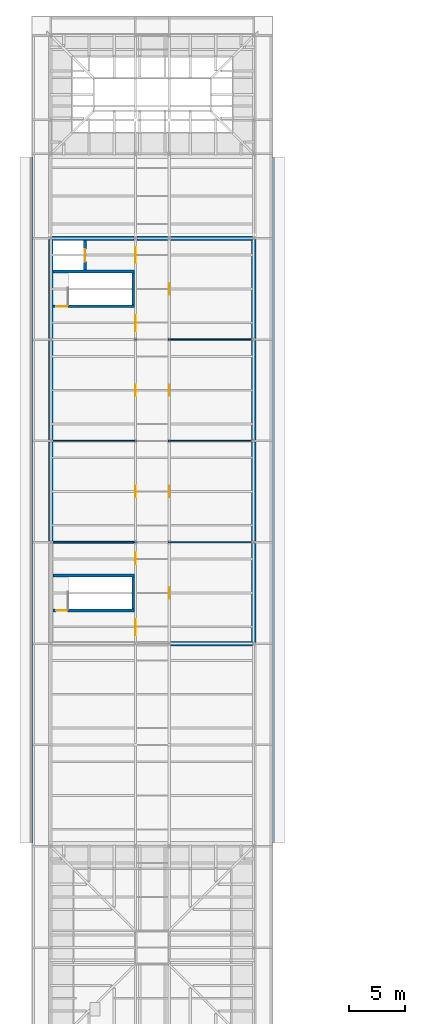
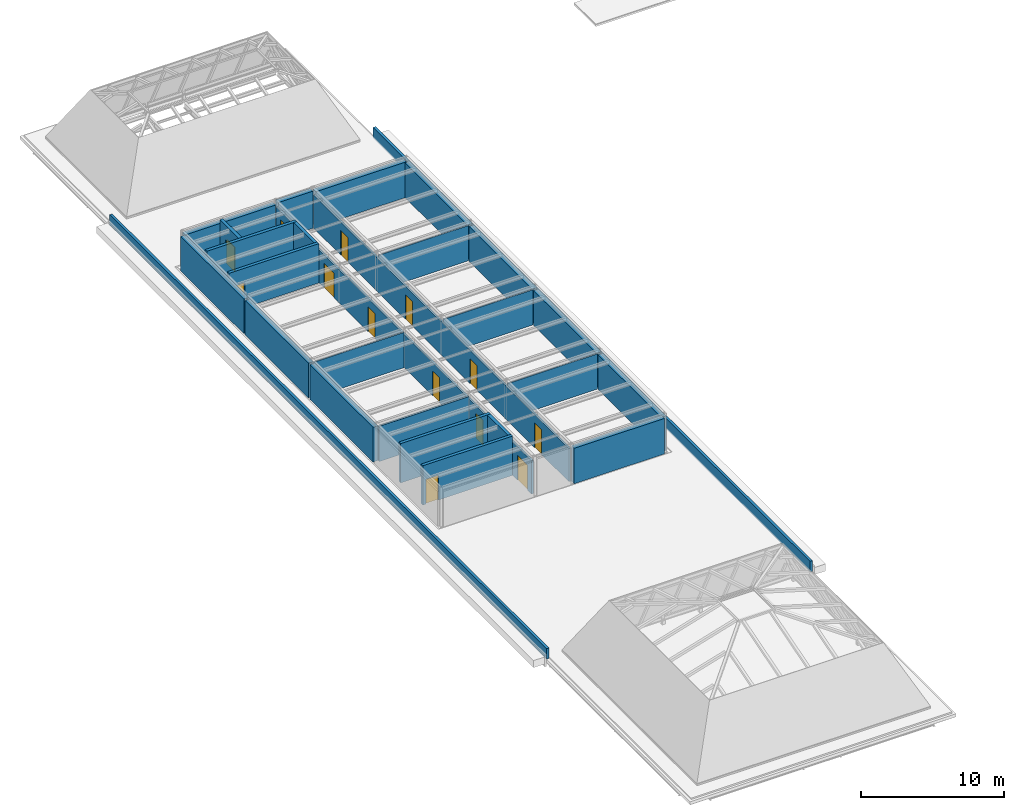
# One storey, part 21 of 29: 27 walls, 13 doors, 13 openings.
"""IFC4 building model written with IfcOpenShell, lengths in metres."""

from ifc_helpers import new_model, si_unit, direction, frame, frame_2d, origin, place, context, subcontext, project, spatial, rectangle, extrude, material, layer, layer_set, type_object, element, fill, save


model = new_model("IFC4")

# Units and contexts
model_context = context("Model", 3, precision=1e-05, world=origin(), true_north=direction((0.0, 1.0)))
body_context = subcontext(model_context, "Body", "Model", "MODEL_VIEW")
ifc_project = project(units=[si_unit("LENGTHUNIT", "METRE"), si_unit("AREAUNIT", "SQUARE_METRE"), si_unit("VOLUMEUNIT", "CUBIC_METRE"), si_unit("PLANEANGLEUNIT", "RADIAN"), si_unit("MASSUNIT", "GRAM", prefix="KILO")], contexts=[model_context])

# Site, building, storey
site_placement = place(None, origin())
site = spatial("IfcSite", under=ifc_project, at=site_placement, CompositionType="ELEMENT")
building_placement = place(site_placement, origin())
building = spatial("IfcBuilding", under=site, at=building_placement, Name="Golden Quay Civic Hall", CompositionType="ELEMENT")
storey_placement = place(building_placement, frame((0.0, 0.0, 27.0)))
storey = spatial("IfcBuildingStorey", under=building, at=storey_placement, Name="L06", CompositionType="ELEMENT", Elevation=27.0)

# Wall, opening, door
ifc_material_1 = material(Name="Concrete C40/50", Category="concrete")
ifc_layer_1 = layer(ifc_material_1, 0.25)
ifc_layer_set_1 = layer_set([ifc_layer_1], Name="Concrete core wall 250, Concrete C40/50")
wall_type_1 = type_object("IfcWallType", Name="Concrete core wall 250", PredefinedType="SHEAR", material=ifc_layer_set_1)
wall_1_placement = place(storey_placement, frame((0.199951171875, 56.949951171875, 0.0), z_axis=(0.0, 0.0, 1.0), x_axis=(1.0, 0.0, 0.0)))
wall_1 = element("IfcWall", 1, at=wall_1_placement, inside=storey, type_object=wall_type_1, Name="Core wall WO-N-W1", PredefinedType="SHEAR", context=body_context, shape_type="SweptSolid", body=[
    extrude(rectangle(XDim=7.22509765625, YDim=0.25, at=frame_2d((3.612548828125, 0.0))), origin(), (0.0, 0.0, 1.0), 3.35009765625),
])
opening_1_placement = place(wall_1_placement, frame((0.25, 0.0, 0.0)))
opening_1 = element("IfcOpeningElement", 2, at=opening_1_placement, cuts=wall_1, Name="Opening L06-D010", PredefinedType="OPENING", context=body_context, shape_type="SweptSolid", body=[
    extrude(rectangle(XDim=1.0, YDim=2.10009765625, at=frame_2d((0.5, 1.050048828125))), frame((0.0, 0.135009765625, 0.0), z_axis=(0.0, -1.0, 0.0), x_axis=(1.0, 0.0, 0.0)), (0.0, 0.0, 1.0), 0.27001953125),
])
ifc_material_2 = material(Name="Steel", Category="steel")
door_type_1 = type_object("IfcDoorType", Name="Steel fire door FD60 1000 x 2100", OperationType="SINGLE_SWING_LEFT", PredefinedType="DOOR", material=ifc_material_2)
door_1_placement = place(opening_1_placement, origin())
door_1 = element("IfcDoor", 3, at=door_1_placement, inside=storey, type_object=door_type_1, Name="Door L06-D010", OperationType="SINGLE_SWING_LEFT", OverallHeight=2.10009765625, OverallWidth=1.0, PredefinedType="DOOR", context=body_context, shape_type="SweptSolid", body=[
    extrude(rectangle(XDim=1.0, YDim=2.10009765625, at=frame_2d((0.5, 1.050048828125))), frame((0.0, 0.02490234375, 0.0), z_axis=(0.0, -1.0, 0.0), x_axis=(1.0, 0.0, 0.0)), (0.0, 0.0, 1.0), 0.050048828125),
])
fill(opening_1, door_1)

# Walls
wall_2_placement = place(storey_placement, frame((0.199951171875, 60.050048828125, 0.0), z_axis=(0.0, 0.0, 1.0), x_axis=(1.0, 0.0, 0.0)))
element("IfcWall", 4, at=wall_2_placement, inside=storey, type_object=wall_type_1, Name="Core wall WO-N-W2", PredefinedType="SHEAR", context=body_context, shape_type="SweptSolid", body=[
    extrude(rectangle(XDim=7.22509765625, YDim=0.25, at=frame_2d((3.612548828125, 0.0))), origin(), (0.0, 0.0, 1.0), 3.35009765625),
])
wall_3_placement = place(storey_placement, frame((7.300048828125, 57.074951171875, 0.0), z_axis=(0.0, 0.0, 1.0), x_axis=(0.0, 1.0, 0.0)))
element("IfcWall", 5, at=wall_3_placement, inside=storey, type_object=wall_type_1, Name="Core wall WO-N-W3", PredefinedType="SHEAR", context=body_context, shape_type="SweptSolid", body=[
    extrude(rectangle(XDim=2.85009765625, YDim=0.25, at=frame_2d((1.425048828125, 0.0))), origin(), (0.0, 0.0, 1.0), 3.35009765625),
])

# Wall, opening, door
wall_4_placement = place(storey_placement, frame((3.02490234375, 60.175048828125, 0.0), z_axis=(0.0, 0.0, 1.0), x_axis=(0.0, 1.0, 0.0)))
wall_4 = element("IfcWall", 6, at=wall_4_placement, inside=storey, type_object=wall_type_1, Name="Core wall WO-N-W4", PredefinedType="SHEAR", context=body_context, shape_type="SweptSolid", body=[
    extrude(rectangle(XDim=2.625, YDim=0.25, at=frame_2d((1.3125, 0.0))), origin(), (0.0, 0.0, 1.0), 3.35009765625),
])
opening_2_placement = place(wall_4_placement, frame((0.75, 0.0, 0.0)))
opening_2 = element("IfcOpeningElement", 7, at=opening_2_placement, cuts=wall_4, Name="Opening L06-D013", PredefinedType="OPENING", context=body_context, shape_type="SweptSolid", body=[
    extrude(rectangle(XDim=1.10009765625, YDim=2.10009765625, at=frame_2d((0.550048828125, 1.050048828125))), frame((0.0, 0.135009765625, 0.0), z_axis=(0.0, -1.0, 0.0), x_axis=(1.0, 0.0, 0.0)), (0.0, 0.0, 1.0), 0.27001953125),
])
ifc_material_3 = material(Name="Steel", Category="steel")
door_type_2 = type_object("IfcDoorType", Name="Lift landing door 1100 x 2100", OperationType="SLIDING_TO_LEFT", PredefinedType="DOOR", material=ifc_material_3)
door_2_placement = place(opening_2_placement, origin())
door_2 = element("IfcDoor", 8, at=door_2_placement, inside=storey, type_object=door_type_2, Name="Lift landing door L06-D013 WO-N", OperationType="SLIDING_TO_LEFT", OverallHeight=2.10009765625, OverallWidth=1.10009765625, PredefinedType="DOOR", context=body_context, shape_type="SweptSolid", body=[
    extrude(rectangle(XDim=1.10009765625, YDim=2.10009765625, at=frame_2d((0.550048828125, 1.050048828125))), frame((0.0, 0.02490234375, 0.0), z_axis=(0.0, -1.0, 0.0), x_axis=(1.0, 0.0, 0.0)), (0.0, 0.0, 1.0), 0.050048828125),
])
fill(opening_2, door_2)

wall_5_placement = place(storey_placement, frame((0.199951171875, 29.949951171875, 0.0), z_axis=(0.0, 0.0, 1.0), x_axis=(1.0, 0.0, 0.0)))
wall_5 = element("IfcWall", 9, at=wall_5_placement, inside=storey, type_object=wall_type_1, Name="Core wall WO-M-W1", PredefinedType="SHEAR", context=body_context, shape_type="SweptSolid", body=[
    extrude(rectangle(XDim=7.22509765625, YDim=0.25, at=frame_2d((3.612548828125, 0.0))), origin(), (0.0, 0.0, 1.0), 3.35009765625),
])
opening_3_placement = place(wall_5_placement, frame((0.25, 0.0, 0.0)))
opening_3 = element("IfcOpeningElement", 10, at=opening_3_placement, cuts=wall_5, Name="Opening L06-D008", PredefinedType="OPENING", context=body_context, shape_type="SweptSolid", body=[
    extrude(rectangle(XDim=1.0, YDim=2.10009765625, at=frame_2d((0.5, 1.050048828125))), frame((0.0, 0.135009765625, 0.0), z_axis=(0.0, -1.0, 0.0), x_axis=(1.0, 0.0, 0.0)), (0.0, 0.0, 1.0), 0.27001953125),
])
door_3_placement = place(opening_3_placement, origin())
door_3 = element("IfcDoor", 11, at=door_3_placement, inside=storey, type_object=door_type_1, Name="Door L06-D008", OperationType="SINGLE_SWING_LEFT", OverallHeight=2.10009765625, OverallWidth=1.0, PredefinedType="DOOR", context=body_context, shape_type="SweptSolid", body=[
    extrude(rectangle(XDim=1.0, YDim=2.10009765625, at=frame_2d((0.5, 1.050048828125))), frame((0.0, 0.02490234375, 0.0), z_axis=(0.0, -1.0, 0.0), x_axis=(1.0, 0.0, 0.0)), (0.0, 0.0, 1.0), 0.050048828125),
])
fill(opening_3, door_3)

# Walls
wall_6_placement = place(storey_placement, frame((0.199951171875, 33.050048828125, 0.0), z_axis=(0.0, 0.0, 1.0), x_axis=(1.0, 0.0, 0.0)))
element("IfcWall", 12, at=wall_6_placement, inside=storey, type_object=wall_type_1, Name="Core wall WO-M-W2", PredefinedType="SHEAR", context=body_context, shape_type="SweptSolid", body=[
    extrude(rectangle(XDim=7.22509765625, YDim=0.25, at=frame_2d((3.612548828125, 0.0))), origin(), (0.0, 0.0, 1.0), 3.35009765625),
])
wall_7_placement = place(storey_placement, frame((7.300048828125, 30.074951171875, 0.0), z_axis=(0.0, 0.0, 1.0), x_axis=(0.0, 1.0, 0.0)))
element("IfcWall", 13, at=wall_7_placement, inside=storey, type_object=wall_type_1, Name="Core wall WO-M-W3", PredefinedType="SHEAR", context=body_context, shape_type="SweptSolid", body=[
    extrude(rectangle(XDim=2.85009765625, YDim=0.25, at=frame_2d((1.425048828125, 0.0))), origin(), (0.0, 0.0, 1.0), 3.35009765625),
])
ifc_material_4 = material(Name="Aluminium louvre panels on steel sub-frame", Category="steel")
ifc_layer_2 = layer(ifc_material_4, 0.39990234375)
ifc_layer_set_2 = layer_set([ifc_layer_2], Name="Louvred plant enclosure wall 400")
wall_type_2 = type_object("IfcWallType", Name="Louvred plant enclosure wall 400", PredefinedType="STANDARD", material=ifc_layer_set_2)
for number, where, z_axis, x_axis, name in (
    (14, (0.0, 36.094970703125, 0.0), (0.0, 0.0, 1.0), (0.0, 1.0, 0.0), "Louvred plant enclosure wall 400 L06 2"),
    (15, (0.0, 45.094970703125, 0.0), (0.0, 0.0, 1.0), (0.0, 1.0, 0.0), "Louvred plant enclosure wall 400 L06 3"),
    (16, (0.0, 54.094970703125, 0.0), (0.0, 0.0, 1.0), (0.0, 1.0, 0.0), "Louvred plant enclosure wall 400 L06 4"),
    (17, (18.0, 35.905029296875, 0.0), (0.0, 0.0, 1.0), (0.0, -1.0, 0.0), "Louvred plant enclosure wall 400 L06 5"),
    (18, (18.0, 44.905029296875, 0.0), (0.0, 0.0, 1.0), (0.0, -1.0, 0.0), "Louvred plant enclosure wall 400 L06 6"),
    (19, (18.0, 53.905029296875, 0.0), (0.0, 0.0, 1.0), (0.0, -1.0, 0.0), "Louvred plant enclosure wall 400 L06 7"),
    (20, (18.0, 62.905029296875, 0.0), (0.0, 0.0, 1.0), (0.0, -1.0, 0.0), "Louvred plant enclosure wall 400 L06 8"),
):
    element("IfcWall", number, at=place(storey_placement, frame(where, z_axis=z_axis, x_axis=x_axis)), inside=storey, type_object=wall_type_2, Name=name, PredefinedType="STANDARD", context=body_context, shape_type="SweptSolid", body=[
        extrude(rectangle(XDim=8.81005859375, YDim=0.39990234375, at=frame_2d((4.405029296875, 0.0))), origin(), (0.0, 0.0, 1.0), 2.949951171875),
    ])
for number, where, z_axis, x_axis, name in (
    (21, (17.89990234375, 27.0, 0.0), (0.0, 0.0, 1.0), (-1.0, 0.0, 0.0), "Louvred plant enclosure wall 400 L06 11"),
    (22, (0.10009765625, 63.0, 0.0), (0.0, 0.0, 1.0), (1.0, 0.0, 0.0), "Louvred plant enclosure wall 400 L06 12"),
):
    element("IfcWall", number, at=place(storey_placement, frame(where, z_axis=z_axis, x_axis=x_axis)), inside=storey, type_object=wall_type_2, Name=name, PredefinedType="STANDARD", context=body_context, shape_type="SweptSolid", body=[
        extrude(rectangle(XDim=7.27978515625, YDim=0.39990234375, at=frame_2d((3.639892578125, 0.0))), origin(), (0.0, 0.0, 1.0), 3.02001953125),
    ])
wall_8_placement = place(storey_placement, frame((7.6201171875, 63.0, 0.0), z_axis=(0.0, 0.0, 1.0), x_axis=(1.0, 0.0, 0.0)))
element("IfcWall", 23, at=wall_8_placement, inside=storey, type_object=wall_type_2, Name="Louvred plant enclosure wall 400 L06 13", PredefinedType="STANDARD", context=body_context, shape_type="SweptSolid", body=[
    extrude(rectangle(XDim=2.759765625, YDim=0.39990234375, at=frame_2d((1.3798828125, 0.0))), origin(), (0.0, 0.0, 1.0), 3.14990234375),
])
wall_9_placement = place(storey_placement, frame((10.6201171875, 63.0, 0.0), z_axis=(0.0, 0.0, 1.0), x_axis=(1.0, 0.0, 0.0)))
element("IfcWall", 24, at=wall_9_placement, inside=storey, type_object=wall_type_2, Name="Louvred plant enclosure wall 400 L06 14", PredefinedType="STANDARD", context=body_context, shape_type="SweptSolid", body=[
    extrude(rectangle(XDim=7.27978515625, YDim=0.39990234375, at=frame_2d((3.639892578125, 0.0))), origin(), (0.0, 0.0, 1.0), 3.02001953125),
])
ifc_material_5 = material(Name="Brick, dark clay facing", Category="masonry")
ifc_layer_3 = layer(ifc_material_5, 0.199951171875)
ifc_layer_set_3 = layer_set([ifc_layer_3], Name="Parapet 200 x 900")
wall_type_3 = type_object("IfcWallType", Name="Parapet 200 x 900", PredefinedType="PARAPET", material=ifc_layer_set_3)
for number, where, z_axis, x_axis, name in (
    (25, (-1.60009765625, 9.300048828125, 0.0), (0.0, 0.0, 1.0), (0.0, 1.0, 0.0), "Parapet 200 x 900 L06 1"),
    (26, (19.60009765625, 70.199951171875, 0.0), (0.0, 0.0, 1.0), (0.0, -1.0, 0.0), "Parapet 200 x 900 L06 2"),
):
    element("IfcWall", number, at=place(storey_placement, frame(where, z_axis=z_axis, x_axis=x_axis)), inside=storey, type_object=wall_type_3, Name=name, PredefinedType="PARAPET", context=body_context, shape_type="SweptSolid", body=[
        extrude(rectangle(XDim=60.89990234375, YDim=0.199951171875, at=frame_2d((30.449951171875, 0.0))), origin(), (0.0, 0.0, 1.0), 0.89990234375),
    ])
ifc_material_6 = material(Name="Plasterboard on steel studs", Category="steel")
ifc_layer_4 = layer(ifc_material_6, 0.10009765625)
ifc_layer_set_4 = layer_set([ifc_layer_4], Name="Partition 100 stud")
wall_type_4 = type_object("IfcWallType", Name="Partition 100 stud", PredefinedType="PARTITIONING", material=ifc_layer_set_4)
for number, where, z_axis, x_axis, name in (
    (27, (0.199951171875, 45.0, 0.0), (0.0, 0.0, 1.0), (1.0, 0.0, 0.0), "Partition L06-003"),
    (28, (10.574951171875, 36.0, 0.0), (0.0, 0.0, 1.0), (1.0, 0.0, 0.0), "Partition L06-004"),
    (29, (10.574951171875, 45.0, 0.0), (0.0, 0.0, 1.0), (1.0, 0.0, 0.0), "Partition L06-005"),
    (30, (10.574951171875, 54.0, 0.0), (0.0, 0.0, 1.0), (1.0, 0.0, 0.0), "Partition L06-006"),
):
    element("IfcWall", number, at=place(storey_placement, frame(where, z_axis=z_axis, x_axis=x_axis)), inside=storey, type_object=wall_type_4, Name=name, PredefinedType="PARTITIONING", context=body_context, shape_type="SweptSolid", body=[
        extrude(rectangle(XDim=7.22509765625, YDim=0.10009765625, at=frame_2d((3.612548828125, 0.0))), origin(), (0.0, 0.0, 1.0), 3.0),
    ])

# Wall, openings, doors
ifc_material_7 = material(Name="Plasterboard on steel studs", Category="steel")
ifc_layer_5 = layer(ifc_material_7, 0.14990234375)
ifc_layer_set_5 = layer_set([ifc_layer_5], Name="Partition 150 stud fire EI 60")
wall_type_5 = type_object("IfcWallType", Name="Partition 150 stud fire EI 60", PredefinedType="PARTITIONING", material=ifc_layer_set_5)
wall_10_placement = place(storey_placement, frame((7.5, 27.199951171875, 0.0), z_axis=(0.0, 0.0, 1.0), x_axis=(0.0, 1.0, 0.0)))
wall_10 = element("IfcWall", 31, at=wall_10_placement, inside=storey, type_object=wall_type_5, Name="Partition L06-000", PredefinedType="PARTITIONING", context=body_context, shape_type="SweptSolid", body=[
    extrude(rectangle(XDim=35.60009765625, YDim=0.14990234375, at=frame_2d((17.800048828125, 0.0))), origin(), (0.0, 0.0, 1.0), 2.830078125),
])
opening_4_placement = place(wall_10_placement, frame((12.800048828125, 0.0, 0.0)))
opening_4 = element("IfcOpeningElement", 32, at=opening_4_placement, cuts=wall_10, Name="Opening L06-D001", PredefinedType="OPENING", context=body_context, shape_type="SweptSolid", body=[
    extrude(rectangle(XDim=1.0, YDim=2.10009765625, at=frame_2d((0.5, 1.050048828125))), frame((0.0, 0.0849609375, 0.0), z_axis=(0.0, -1.0, 0.0), x_axis=(1.0, 0.0, 0.0)), (0.0, 0.0, 1.0), 0.169921875),
])
opening_5_placement = place(wall_10_placement, frame((21.800048828125, 0.0, 0.0)))
opening_5 = element("IfcOpeningElement", 33, at=opening_5_placement, cuts=wall_10, Name="Opening L06-D002", PredefinedType="OPENING", context=body_context, shape_type="SweptSolid", body=[
    extrude(rectangle(XDim=1.0, YDim=2.10009765625, at=frame_2d((0.5, 1.050048828125))), frame((0.0, 0.0849609375, 0.0), z_axis=(0.0, -1.0, 0.0), x_axis=(1.0, 0.0, 0.0)), (0.0, 0.0, 1.0), 0.169921875),
])
opening_6_placement = place(wall_10_placement, frame((6.85009765625, 0.0, 0.0)))
opening_6 = element("IfcOpeningElement", 34, at=opening_6_placement, cuts=wall_10, Name="Opening L06-D007", PredefinedType="OPENING", context=body_context, shape_type="SweptSolid", body=[
    extrude(rectangle(XDim=1.0, YDim=2.10009765625, at=frame_2d((0.5, 1.050048828125))), frame((0.0, 0.0849609375, 0.0), z_axis=(0.0, -1.0, 0.0), x_axis=(1.0, 0.0, 0.0)), (0.0, 0.0, 1.0), 0.169921875),
])
opening_7_placement = place(wall_10_placement, frame((0.550048828125, 0.0, 0.0)))
opening_7 = element("IfcOpeningElement", 35, at=opening_7_placement, cuts=wall_10, Name="Opening L06-D009", PredefinedType="OPENING", context=body_context, shape_type="SweptSolid", body=[
    extrude(rectangle(XDim=1.39990234375, YDim=2.10009765625, at=frame_2d((0.699951171875, 1.050048828125))), frame((0.0, 0.0849609375, 0.0), z_axis=(0.0, -1.0, 0.0), x_axis=(1.0, 0.0, 0.0)), (0.0, 0.0, 1.0), 0.169921875),
])
opening_8_placement = place(wall_10_placement, frame((27.550048828125, 0.0, 0.0)))
opening_8 = element("IfcOpeningElement", 36, at=opening_8_placement, cuts=wall_10, Name="Opening L06-D011", PredefinedType="OPENING", context=body_context, shape_type="SweptSolid", body=[
    extrude(rectangle(XDim=1.39990234375, YDim=2.10009765625, at=frame_2d((0.699951171875, 1.050048828125))), frame((0.0, 0.0849609375, 0.0), z_axis=(0.0, -1.0, 0.0), x_axis=(1.0, 0.0, 0.0)), (0.0, 0.0, 1.0), 0.169921875),
])
opening_9_placement = place(wall_10_placement, frame((33.60009765625, 0.0, 0.0)))
opening_9 = element("IfcOpeningElement", 37, at=opening_9_placement, cuts=wall_10, Name="Opening L06-D012", PredefinedType="OPENING", context=body_context, shape_type="SweptSolid", body=[
    extrude(rectangle(XDim=1.39990234375, YDim=2.10009765625, at=frame_2d((0.699951171875, 1.050048828125))), frame((0.0, 0.0849609375, 0.0), z_axis=(0.0, -1.0, 0.0), x_axis=(1.0, 0.0, 0.0)), (0.0, 0.0, 1.0), 0.169921875),
])
ifc_material_8 = material(Name="Steel", Category="steel")
door_type_3 = type_object("IfcDoorType", Name="Steel double fire door FD30S 1400 x 2100", OperationType="DOUBLE_DOOR_SINGLE_SWING", PredefinedType="DOOR", material=ifc_material_8)
door_4_placement = place(opening_7_placement, frame((1.39990234375, 0.0, 0.0), z_axis=(0.0, 0.0, 1.0), x_axis=(-1.0, 0.0, 0.0)))
door_4 = element("IfcDoor", 38, at=door_4_placement, inside=storey, type_object=door_type_3, Name="Door L06-D009", OperationType="DOUBLE_DOOR_SINGLE_SWING", OverallHeight=2.10009765625, OverallWidth=1.39990234375, PredefinedType="DOOR", context=body_context, shape_type="SweptSolid", body=[
    extrude(rectangle(XDim=1.39990234375, YDim=2.10009765625, at=frame_2d((0.699951171875, 1.050048828125))), frame((0.0, 0.025146484375, 0.0), z_axis=(0.0, -1.0, 0.0), x_axis=(1.0, 0.0, 0.0)), (0.0, 0.0, 1.0), 0.050048828125),
])
fill(opening_7, door_4)
door_5_placement = place(opening_8_placement, frame((1.39990234375, 0.0, 0.0), z_axis=(0.0, 0.0, 1.0), x_axis=(-1.0, 0.0, 0.0)))
door_5 = element("IfcDoor", 39, at=door_5_placement, inside=storey, type_object=door_type_3, Name="Door L06-D011", OperationType="DOUBLE_DOOR_SINGLE_SWING", OverallHeight=2.10009765625, OverallWidth=1.39990234375, PredefinedType="DOOR", context=body_context, shape_type="SweptSolid", body=[
    extrude(rectangle(XDim=1.39990234375, YDim=2.10009765625, at=frame_2d((0.699951171875, 1.050048828125))), frame((0.0, 0.025146484375, 0.0), z_axis=(0.0, -1.0, 0.0), x_axis=(1.0, 0.0, 0.0)), (0.0, 0.0, 1.0), 0.050048828125),
])
fill(opening_8, door_5)
door_6_placement = place(opening_9_placement, frame((1.39990234375, 0.0, 0.0), z_axis=(0.0, 0.0, 1.0), x_axis=(-1.0, 0.0, 0.0)))
door_6 = element("IfcDoor", 40, at=door_6_placement, inside=storey, type_object=door_type_3, Name="Door L06-D012", OperationType="DOUBLE_DOOR_SINGLE_SWING", OverallHeight=2.10009765625, OverallWidth=1.39990234375, PredefinedType="DOOR", context=body_context, shape_type="SweptSolid", body=[
    extrude(rectangle(XDim=1.39990234375, YDim=2.10009765625, at=frame_2d((0.699951171875, 1.050048828125))), frame((0.0, 0.025146484375, 0.0), z_axis=(0.0, -1.0, 0.0), x_axis=(1.0, 0.0, 0.0)), (0.0, 0.0, 1.0), 0.050048828125),
])
fill(opening_9, door_6)
ifc_material_9 = material(Name="Steel", Category="steel")
door_type_4 = type_object("IfcDoorType", Name="Steel fire door FD30S 1000 x 2100", OperationType="SINGLE_SWING_LEFT", PredefinedType="DOOR", material=ifc_material_9)
door_7_placement = place(opening_4_placement, origin())
door_7 = element("IfcDoor", 41, at=door_7_placement, inside=storey, type_object=door_type_4, Name="Door L06-D001", OperationType="SINGLE_SWING_LEFT", OverallHeight=2.10009765625, OverallWidth=1.0, PredefinedType="DOOR", context=body_context, shape_type="SweptSolid", body=[
    extrude(rectangle(XDim=1.0, YDim=2.10009765625, at=frame_2d((0.5, 1.050048828125))), frame((0.0, 0.02490234375, 0.0), z_axis=(0.0, -1.0, 0.0), x_axis=(1.0, 0.0, 0.0)), (0.0, 0.0, 1.0), 0.050048828125),
])
fill(opening_4, door_7)
door_8_placement = place(opening_5_placement, origin())
door_8 = element("IfcDoor", 42, at=door_8_placement, inside=storey, type_object=door_type_4, Name="Door L06-D002", OperationType="SINGLE_SWING_LEFT", OverallHeight=2.10009765625, OverallWidth=1.0, PredefinedType="DOOR", context=body_context, shape_type="SweptSolid", body=[
    extrude(rectangle(XDim=1.0, YDim=2.10009765625, at=frame_2d((0.5, 1.050048828125))), frame((0.0, 0.02490234375, 0.0), z_axis=(0.0, -1.0, 0.0), x_axis=(1.0, 0.0, 0.0)), (0.0, 0.0, 1.0), 0.050048828125),
])
fill(opening_5, door_8)
door_9_placement = place(opening_6_placement, origin())
door_9 = element("IfcDoor", 43, at=door_9_placement, inside=storey, type_object=door_type_4, Name="Door L06-D007", OperationType="SINGLE_SWING_LEFT", OverallHeight=2.10009765625, OverallWidth=1.0, PredefinedType="DOOR", context=body_context, shape_type="SweptSolid", body=[
    extrude(rectangle(XDim=1.0, YDim=2.10009765625, at=frame_2d((0.5, 1.050048828125))), frame((0.0, 0.02490234375, 0.0), z_axis=(0.0, -1.0, 0.0), x_axis=(1.0, 0.0, 0.0)), (0.0, 0.0, 1.0), 0.050048828125),
])
fill(opening_6, door_9)

wall_11_placement = place(storey_placement, frame((10.5, 27.199951171875, 0.0), z_axis=(0.0, 0.0, 1.0), x_axis=(0.0, 1.0, 0.0)))
wall_11 = element("IfcWall", 44, at=wall_11_placement, inside=storey, type_object=wall_type_5, Name="Partition L06-001", PredefinedType="PARTITIONING", context=body_context, shape_type="SweptSolid", body=[
    extrude(rectangle(XDim=35.60009765625, YDim=0.14990234375, at=frame_2d((17.800048828125, 0.0))), origin(), (0.0, 0.0, 1.0), 2.830078125),
])
opening_10_placement = place(wall_11_placement, frame((3.800048828125, 0.0, 0.0)))
opening_10 = element("IfcOpeningElement", 45, at=opening_10_placement, cuts=wall_11, Name="Opening L06-D003", PredefinedType="OPENING", context=body_context, shape_type="SweptSolid", body=[
    extrude(rectangle(XDim=1.0, YDim=2.10009765625, at=frame_2d((0.5, 1.050048828125))), frame((0.0, 0.0849609375, 0.0), z_axis=(0.0, -1.0, 0.0), x_axis=(1.0, 0.0, 0.0)), (0.0, 0.0, 1.0), 0.169921875),
])
opening_11_placement = place(wall_11_placement, frame((12.800048828125, 0.0, 0.0)))
opening_11 = element("IfcOpeningElement", 46, at=opening_11_placement, cuts=wall_11, Name="Opening L06-D004", PredefinedType="OPENING", context=body_context, shape_type="SweptSolid", body=[
    extrude(rectangle(XDim=1.0, YDim=2.10009765625, at=frame_2d((0.5, 1.050048828125))), frame((0.0, 0.0849609375, 0.0), z_axis=(0.0, -1.0, 0.0), x_axis=(1.0, 0.0, 0.0)), (0.0, 0.0, 1.0), 0.169921875),
])
opening_12_placement = place(wall_11_placement, frame((21.800048828125, 0.0, 0.0)))
opening_12 = element("IfcOpeningElement", 47, at=opening_12_placement, cuts=wall_11, Name="Opening L06-D005", PredefinedType="OPENING", context=body_context, shape_type="SweptSolid", body=[
    extrude(rectangle(XDim=1.0, YDim=2.10009765625, at=frame_2d((0.5, 1.050048828125))), frame((0.0, 0.0849609375, 0.0), z_axis=(0.0, -1.0, 0.0), x_axis=(1.0, 0.0, 0.0)), (0.0, 0.0, 1.0), 0.169921875),
])
opening_13_placement = place(wall_11_placement, frame((30.800048828125, 0.0, 0.0)))
opening_13 = element("IfcOpeningElement", 48, at=opening_13_placement, cuts=wall_11, Name="Opening L06-D006", PredefinedType="OPENING", context=body_context, shape_type="SweptSolid", body=[
    extrude(rectangle(XDim=1.0, YDim=2.10009765625, at=frame_2d((0.5, 1.050048828125))), frame((0.0, 0.0849609375, 0.0), z_axis=(0.0, -1.0, 0.0), x_axis=(1.0, 0.0, 0.0)), (0.0, 0.0, 1.0), 0.169921875),
])
door_10_placement = place(opening_10_placement, frame((1.0, 0.0, 0.0), z_axis=(0.0, 0.0, 1.0), x_axis=(-1.0, 0.0, 0.0)))
door_10 = element("IfcDoor", 49, at=door_10_placement, inside=storey, type_object=door_type_4, Name="Door L06-D003", OperationType="SINGLE_SWING_RIGHT", OverallHeight=2.10009765625, OverallWidth=1.0, PredefinedType="DOOR", context=body_context, shape_type="SweptSolid", body=[
    extrude(rectangle(XDim=1.0, YDim=2.10009765625, at=frame_2d((0.5, 1.050048828125))), frame((0.0, 0.025146484375, 0.0), z_axis=(0.0, -1.0, 0.0), x_axis=(1.0, 0.0, 0.0)), (0.0, 0.0, 1.0), 0.050048828125),
])
fill(opening_10, door_10)
door_11_placement = place(opening_11_placement, frame((1.0, 0.0, 0.0), z_axis=(0.0, 0.0, 1.0), x_axis=(-1.0, 0.0, 0.0)))
door_11 = element("IfcDoor", 50, at=door_11_placement, inside=storey, type_object=door_type_4, Name="Door L06-D004", OperationType="SINGLE_SWING_RIGHT", OverallHeight=2.10009765625, OverallWidth=1.0, PredefinedType="DOOR", context=body_context, shape_type="SweptSolid", body=[
    extrude(rectangle(XDim=1.0, YDim=2.10009765625, at=frame_2d((0.5, 1.050048828125))), frame((0.0, 0.025146484375, 0.0), z_axis=(0.0, -1.0, 0.0), x_axis=(1.0, 0.0, 0.0)), (0.0, 0.0, 1.0), 0.050048828125),
])
fill(opening_11, door_11)
door_12_placement = place(opening_12_placement, frame((1.0, 0.0, 0.0), z_axis=(0.0, 0.0, 1.0), x_axis=(-1.0, 0.0, 0.0)))
door_12 = element("IfcDoor", 51, at=door_12_placement, inside=storey, type_object=door_type_4, Name="Door L06-D005", OperationType="SINGLE_SWING_RIGHT", OverallHeight=2.10009765625, OverallWidth=1.0, PredefinedType="DOOR", context=body_context, shape_type="SweptSolid", body=[
    extrude(rectangle(XDim=1.0, YDim=2.10009765625, at=frame_2d((0.5, 1.050048828125))), frame((0.0, 0.025146484375, 0.0), z_axis=(0.0, -1.0, 0.0), x_axis=(1.0, 0.0, 0.0)), (0.0, 0.0, 1.0), 0.050048828125),
])
fill(opening_12, door_12)
door_13_placement = place(opening_13_placement, frame((1.0, 0.0, 0.0), z_axis=(0.0, 0.0, 1.0), x_axis=(-1.0, 0.0, 0.0)))
door_13 = element("IfcDoor", 52, at=door_13_placement, inside=storey, type_object=door_type_4, Name="Door L06-D006", OperationType="SINGLE_SWING_RIGHT", OverallHeight=2.10009765625, OverallWidth=1.0, PredefinedType="DOOR", context=body_context, shape_type="SweptSolid", body=[
    extrude(rectangle(XDim=1.0, YDim=2.10009765625, at=frame_2d((0.5, 1.050048828125))), frame((0.0, 0.025146484375, 0.0), z_axis=(0.0, -1.0, 0.0), x_axis=(1.0, 0.0, 0.0)), (0.0, 0.0, 1.0), 0.050048828125),
])
fill(opening_13, door_13)

# Wall
wall_12_placement = place(storey_placement, frame((0.199951171875, 36.0, 0.0), z_axis=(0.0, 0.0, 1.0), x_axis=(1.0, 0.0, 0.0)))
element("IfcWall", 53, at=wall_12_placement, inside=storey, type_object=wall_type_5, Name="Partition L06-002", PredefinedType="PARTITIONING", context=body_context, shape_type="SweptSolid", body=[
    extrude(rectangle(XDim=7.22509765625, YDim=0.14990234375, at=frame_2d((3.612548828125, 0.0))), origin(), (0.0, 0.0, 1.0), 3.0),
])

save(model, "model.ifc")
